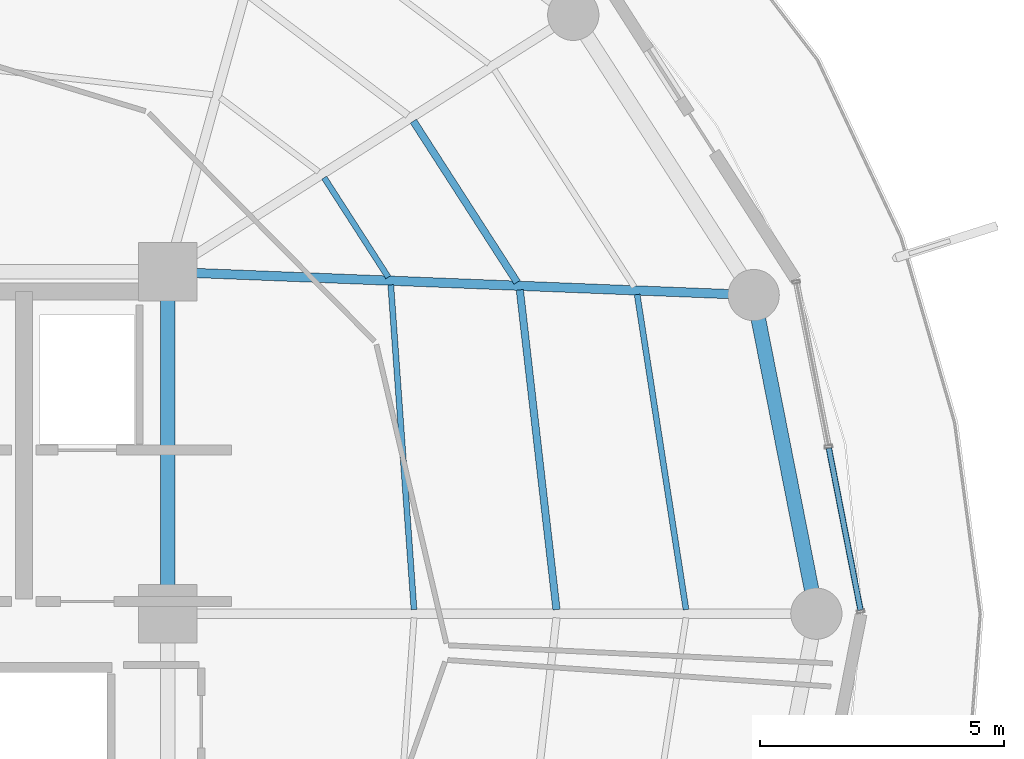
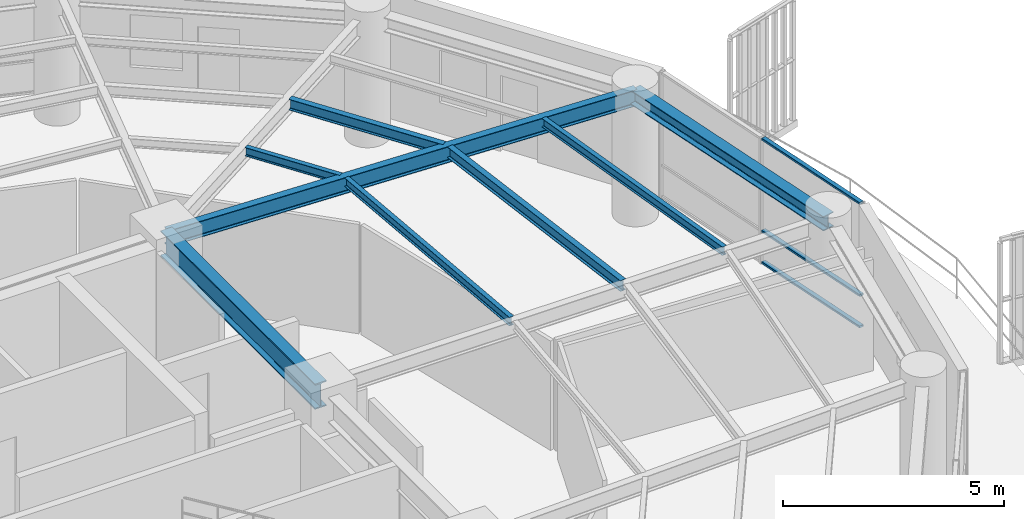
# One storey, part 15 of 31: 8 beams, 3 members, 1 element without a shape of its own.
"""IFC4 building model written with IfcOpenShell, lengths in metres."""

from ifc_helpers import new_model, si_unit, direction, frame, origin, origin_2d, place, context, subcontext, project, spatial, hollow_rectangle, i_section, extrude, material, layer, layer_set, material_profile, profile_set, type_object, element, aggregate, save


model = new_model("IFC4")

# Units and contexts
model_context = context("Model", 3, precision=1e-05, world=origin(), true_north=direction((0.0, 1.0)))
body_context = subcontext(model_context, "Body", "Model", "MODEL_VIEW")
ifc_project = project(units=[si_unit("LENGTHUNIT", "METRE"), si_unit("AREAUNIT", "SQUARE_METRE"), si_unit("VOLUMEUNIT", "CUBIC_METRE"), si_unit("PLANEANGLEUNIT", "RADIAN"), si_unit("MASSUNIT", "GRAM", prefix="KILO")], contexts=[model_context])

# Site, building, storey
site_placement = place(None, origin())
site = spatial("IfcSite", under=ifc_project, at=site_placement, CompositionType="ELEMENT")
building_placement = place(site_placement, origin())
building = spatial("IfcBuilding", under=site, at=building_placement, Name="Kelanora Arch Commons", CompositionType="ELEMENT")
storey_placement = place(building_placement, frame((0.0, 0.0, 193.199951171875)))
storey = spatial("IfcBuildingStorey", under=building, at=storey_placement, Name="L49", CompositionType="ELEMENT", Elevation=193.199951171875)

# Beams
ifc_material_1 = material(Name="Steel S355", Category="steel")
ifc_material_profile_1 = material_profile(ifc_material_1, i_section(OverallWidth=0.300048828125, OverallDepth=0.699951171875, WebThickness=0.01708984375, FlangeThickness=0.031982421875, FilletRadius=0.027099609375, at=origin_2d()), Name="HEB700")
ifc_profile_set_1 = profile_set([ifc_material_profile_1], Name="Steel S355")
beam_type_1 = type_object("IfcBeamType", Name="BM-CORE-HDR", PredefinedType="BEAM", material=ifc_profile_set_1)
beam_1_placement = place(storey_placement, frame((82.0, 58.0, 3.14013671875), z_axis=(0.0, 1.0, 0.0), x_axis=(-1.0, 0.0, 0.0)))
element("IfcBeam", 1, at=beam_1_placement, inside=storey, type_object=beam_type_1, Name="Core Header Beam 04 L49", PredefinedType="BEAM", context=body_context, shape_type="SweptSolid", body=[
    extrude(i_section(OverallWidth=0.300048828125, OverallDepth=0.699951171875, WebThickness=0.01708984375, FlangeThickness=0.031982421875, FilletRadius=0.027099609375, at=origin_2d()), origin(), (0.0, 0.0, 1.0), 7.0),
])
ifc_material_profile_2 = material_profile(ifc_material_1, i_section(OverallWidth=0.14990234375, OverallDepth=0.300048828125, WebThickness=0.007080078125, FlangeThickness=0.0107421875, FilletRadius=0.014892578125, at=origin_2d()), Name="IPE300")
ifc_profile_set_2 = profile_set([ifc_material_profile_2], Name="Steel S355")
beam_type_2 = type_object("IfcBeamType", Name="BM-JST-01", PredefinedType="JOIST", material=ifc_profile_set_2)
beam_2_placement = place(storey_placement, frame((89.958251953125, 58.08447265625, 3.340087890625), z_axis=(-0.113891408177, 0.993493204377, 0.0), x_axis=(-0.993493204377, -0.113891408177, 0.0)))
element("IfcBeam", 2, at=beam_2_placement, inside=storey, type_object=beam_type_2, Name="Secondary Chord Joist BJB-00 L49", PredefinedType="JOIST", context=body_context, shape_type="SweptSolid", body=[
    extrude(i_section(OverallWidth=0.14990234375, OverallDepth=0.300048828125, WebThickness=0.007080078125, FlangeThickness=0.0107421875, FilletRadius=0.014892578125, at=origin_2d()), origin(), (0.0, 0.0, 1.0), 6.589599609375),
])
beam_3_placement = place(storey_placement, frame((89.152099609375, 64.786865234375, 3.340087890625), z_axis=(-0.541411265892, 0.840757896879, 0.0), x_axis=(-0.840757896879, -0.541411265892, 0.0)))
element("IfcBeam", 3, at=beam_3_placement, inside=storey, type_object=beam_type_2, Name="Secondary Chord Joist BJB-02 L49", PredefinedType="JOIST", context=body_context, shape_type="SweptSolid", body=[
    extrude(i_section(OverallWidth=0.14990234375, OverallDepth=0.300048828125, WebThickness=0.007080078125, FlangeThickness=0.0107421875, FilletRadius=0.014892578125, at=origin_2d()), origin(), (0.0, 0.0, 1.0), 3.92529296875),
])
ifc_material_profile_3 = material_profile(ifc_material_1, i_section(OverallWidth=0.1201171875, OverallDepth=0.239990234375, WebThickness=0.006103515625, FlangeThickness=0.009765625, FilletRadius=0.014892578125, at=origin_2d()), Name="IPE240")
ifc_profile_set_3 = profile_set([ifc_material_profile_3], Name="Steel S355")
beam_type_3 = type_object("IfcBeamType", Name="BM-JST-02", PredefinedType="JOIST", material=ifc_profile_set_3)
beam_4_placement = place(storey_placement, frame((87.040283203125, 58.084716796875, 3.3701171875), z_axis=(-0.07133032136, 0.997452748382, 0.0), x_axis=(-0.997452748382, -0.07133032136, 0.0)))
element("IfcBeam", 4, at=beam_4_placement, inside=storey, type_object=beam_type_3, Name="Secondary Chord Joist BJA-00 L49", PredefinedType="JOIST", context=body_context, shape_type="SweptSolid", body=[
    extrude(i_section(OverallWidth=0.1201171875, OverallDepth=0.239990234375, WebThickness=0.006103515625, FlangeThickness=0.009765625, FilletRadius=0.014892578125, at=origin_2d()), origin(), (0.0, 0.0, 1.0), 6.66748046875),
])
beam_5_placement = place(storey_placement, frame((92.611083984375, 58.083984375, 3.3701171875), z_axis=(-0.153256756152, 0.988186402808, 0.0), x_axis=(-0.988186402808, -0.153256756152, 0.0)))
element("IfcBeam", 5, at=beam_5_placement, inside=storey, type_object=beam_type_3, Name="Secondary Chord Joist BJC-00 L49", PredefinedType="JOIST", context=body_context, shape_type="SweptSolid", body=[
    extrude(i_section(OverallWidth=0.1201171875, OverallDepth=0.239990234375, WebThickness=0.006103515625, FlangeThickness=0.009765625, FilletRadius=0.014892578125, at=origin_2d()), origin(), (0.0, 0.0, 1.0), 6.52978515625),
])
beam_6_placement = place(storey_placement, frame((86.5126953125, 64.89111328125, 3.3701171875), z_axis=(-0.541332763503, 0.840808443796, 0.0), x_axis=(-0.840808443796, -0.541332763503, 0.0)))
element("IfcBeam", 6, at=beam_6_placement, inside=storey, type_object=beam_type_3, Name="Secondary Chord Joist BJA-02 L49", PredefinedType="JOIST", context=body_context, shape_type="SweptSolid", body=[
    extrude(i_section(OverallWidth=0.1201171875, OverallDepth=0.239990234375, WebThickness=0.006103515625, FlangeThickness=0.009765625, FilletRadius=0.014892578125, at=origin_2d()), origin(), (0.0, 0.0, 1.0), 2.423583984375),
])
ifc_material_profile_4 = material_profile(ifc_material_1, i_section(OverallWidth=0.18994140625, OverallDepth=0.449951171875, WebThickness=0.009521484375, FlangeThickness=0.0146484375, FilletRadius=0.02099609375, at=origin_2d()), Name="IPE450")
ifc_profile_set_4 = profile_set([ifc_material_profile_4], Name="Steel S355")
beam_type_4 = type_object("IfcBeamType", Name="BM-RAD-Z4", PredefinedType="BEAM", material=ifc_profile_set_4)
beam_7_placement = place(storey_placement, frame((82.0, 65.0, 3.26513671875), z_axis=(0.999219142585, -0.03951082246, 0.0), x_axis=(0.03951082246, 0.999219142585, 0.0)))
element("IfcBeam", 7, at=beam_7_placement, inside=storey, type_object=beam_type_4, Name="Radial Floor Girder BR-02 L49", PredefinedType="BEAM", context=body_context, shape_type="SweptSolid", body=[
    extrude(i_section(OverallWidth=0.18994140625, OverallDepth=0.449951171875, WebThickness=0.009521484375, FlangeThickness=0.0146484375, FilletRadius=0.02099609375, at=origin_2d()), origin(), (0.0, 0.0, 1.0), 12.005859375),
])
ifc_material_profile_5 = material_profile(ifc_material_1, i_section(OverallWidth=0.300048828125, OverallDepth=0.39990234375, WebThickness=0.013427734375, FlangeThickness=0.02392578125, FilletRadius=0.027099609375, at=origin_2d()), Name="HEB400")
ifc_profile_set_5 = profile_set([ifc_material_profile_5], Name="Steel S355")
beam_type_5 = type_object("IfcBeamType", Name="BM-SPN-Z4", PredefinedType="SPANDREL", material=ifc_profile_set_5)
beam_8_placement = place(storey_placement, frame((95.280029296875, 58.0, 3.2900390625), z_axis=(-0.192980724826, 0.981202547819, 0.0), x_axis=(-0.981202547819, -0.192980724826, 0.0)))
element("IfcBeam", 8, at=beam_8_placement, inside=storey, type_object=beam_type_5, Name="Perimeter Spandrel Beam BS-00 L49", PredefinedType="SPANDREL", context=body_context, shape_type="SweptSolid", body=[
    extrude(i_section(OverallWidth=0.300048828125, OverallDepth=0.39990234375, WebThickness=0.013427734375, FlangeThickness=0.02392578125, FilletRadius=0.027099609375, at=origin_2d()), origin(), (0.0, 0.0, 1.0), 6.650634765625),
])

# Curtain wall, members
ifc_material_2 = material(Name="Terracotta ceramic-fritted low-E glass and aluminium", Category="masonry")
ifc_layer = layer(ifc_material_2, 0.175048828125)
ifc_layer_set = layer_set([ifc_layer], Name="Terracotta ceramic-fritted low-E glass and aluminium")
curtain_wall_type = type_object("IfcCurtainWallType", Name="CW-SYS-02", PredefinedType="NOTDEFINED", material=ifc_layer_set)
curtain_wall_placement = place(storey_placement, origin())
curtain_wall = element("IfcCurtainWall", 9, at=curtain_wall_placement, inside=storey, type_object=curtain_wall_type, Name="Unitised Curtain Wall L49-B00", PredefinedType="NOTDEFINED")
ifc_material_3 = material(Name="Powder-coated aluminium terracotta", Category="masonry")
ifc_material_profile_6 = material_profile(ifc_material_3, hollow_rectangle(XDim=0.1201171875, YDim=0.06005859375, WallThickness=0.0048828125, InnerFilletRadius=0.0048828125, OuterFilletRadius=0.010009765625, at=origin_2d()), Name="CWT120x60")
ifc_profile_set_6 = profile_set([ifc_material_profile_6], Name="Powder-coated aluminium terracotta")
member_type = type_object("IfcMemberType", Name="CWT-STD", PredefinedType="USERDEFINED", material=ifc_profile_set_6)
member_1_placement = place(storey_placement, frame((96.185546875, 58.073486328125, 0.030029296875), z_axis=(-0.192044874899, 0.981386145218, 0.0), x_axis=(-0.981386145218, -0.192044874899, 0.0)))
member_1 = element("IfcMember", 10, at=member_1_placement, type_object=member_type, Name="CW-02 transom 1.1", ObjectType="TRANSOM", PredefinedType="USERDEFINED", context=body_context, shape_type="SweptSolid", body=[
    extrude(hollow_rectangle(XDim=0.1201171875, YDim=0.06005859375, WallThickness=0.0048828125, InnerFilletRadius=0.0048828125, OuterFilletRadius=0.010009765625, at=origin_2d()), origin(), (0.0, 0.0, 1.0), 3.38037109375),
])
member_2_placement = place(storey_placement, frame((96.185546875, 58.073486328125, 0.900146484375), z_axis=(-0.192044874899, 0.981386145218, 0.0), x_axis=(-0.981386145218, -0.192044874899, 0.0)))
member_2 = element("IfcMember", 11, at=member_2_placement, type_object=member_type, Name="CW-02 transom 1.2", ObjectType="TRANSOM", PredefinedType="USERDEFINED", context=body_context, shape_type="SweptSolid", body=[
    extrude(hollow_rectangle(XDim=0.1201171875, YDim=0.06005859375, WallThickness=0.0048828125, InnerFilletRadius=0.0048828125, OuterFilletRadius=0.010009765625, at=origin_2d()), origin(), (0.0, 0.0, 1.0), 3.38037109375),
])
member_3_placement = place(storey_placement, frame((96.185546875, 58.073486328125, 3.445068359375), z_axis=(-0.192044874899, 0.981386145218, 0.0), x_axis=(-0.981386145218, -0.192044874899, 0.0)))
member_3 = element("IfcMember", 12, at=member_3_placement, type_object=member_type, Name="CW-02 transom 1.3", ObjectType="TRANSOM", PredefinedType="USERDEFINED", context=body_context, shape_type="SweptSolid", body=[
    extrude(hollow_rectangle(XDim=0.1201171875, YDim=0.06005859375, WallThickness=0.0048828125, InnerFilletRadius=0.0048828125, OuterFilletRadius=0.010009765625, at=origin_2d()), origin(), (0.0, 0.0, 1.0), 3.38037109375),
])
aggregate(curtain_wall, [member_1, member_2, member_3])

save(model, "model.ifc")
